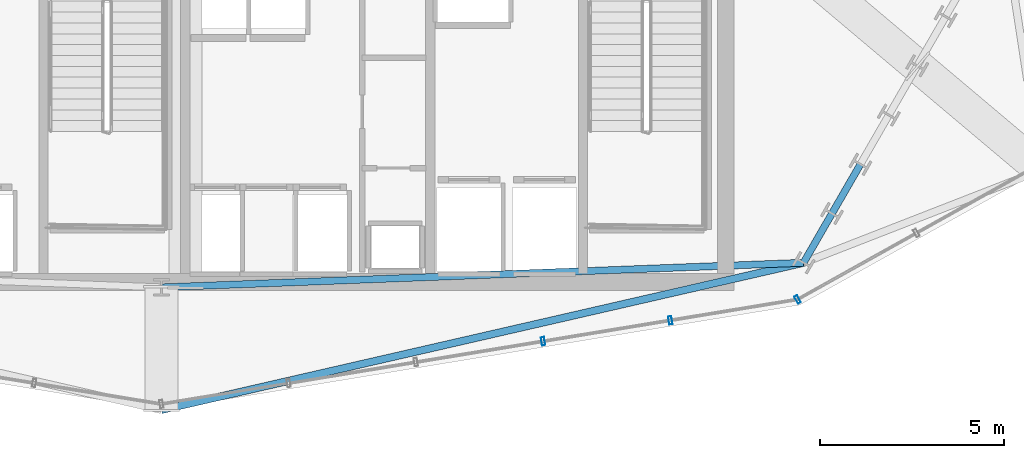
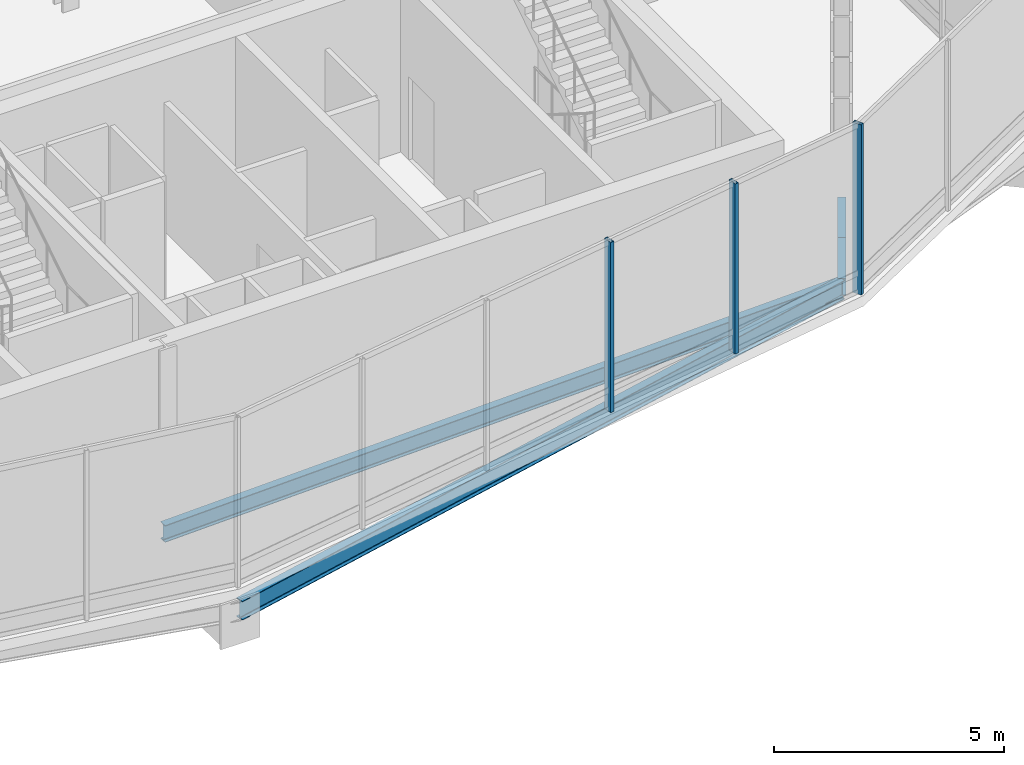
# One storey, part 9 of 26: 4 beams, 3 members, 2 elements without a shape of their own.
"""IFC4 building model written with IfcOpenShell, lengths in metres."""

from ifc_helpers import new_model, si_unit, direction, frame, origin, origin_2d, place, context, subcontext, project, spatial, hollow_rectangle, i_section, extrude, material, layer, layer_set, material_profile, profile_set, type_object, element, aggregate, save


model = new_model("IFC4")

# Units and contexts
model_context = context("Model", 3, precision=1e-05, world=origin(), true_north=direction((0.0, 1.0)))
body_context = subcontext(model_context, "Body", "Model", "MODEL_VIEW")
ifc_project = project(units=[si_unit("LENGTHUNIT", "METRE"), si_unit("AREAUNIT", "SQUARE_METRE"), si_unit("VOLUMEUNIT", "CUBIC_METRE"), si_unit("PLANEANGLEUNIT", "RADIAN"), si_unit("MASSUNIT", "GRAM", prefix="KILO")], contexts=[model_context])

# Site, building, storey
site_placement = place(None, origin())
site = spatial("IfcSite", under=ifc_project, at=site_placement, CompositionType="ELEMENT")
building_placement = place(site_placement, origin())
building = spatial("IfcBuilding", under=site, at=building_placement, Name="Ndaravel Arena Tower", CompositionType="ELEMENT")
storey_placement = place(building_placement, frame((0.0, 0.0, 117.39990234375)))
storey = spatial("IfcBuildingStorey", under=building, at=storey_placement, Name="L27", CompositionType="ELEMENT", Elevation=117.39990234375)

# Beams
ifc_material_1 = material(Name="Steel S355", Category="steel")
ifc_material_profile_1 = material_profile(ifc_material_1, i_section(OverallWidth=0.18994140625, OverallDepth=0.449951171875, WebThickness=0.009521484375, FlangeThickness=0.0146484375, FilletRadius=0.02099609375, at=origin_2d()), Name="IPE 450")
ifc_profile_set_1 = profile_set([ifc_material_profile_1], Name="Steel S355")
beam_type_1 = type_object("IfcBeamType", Name="BM-SPAN-IPE450", PredefinedType="SPANDREL", material=ifc_profile_set_1)
beam_1_placement = place(storey_placement, frame((42.0, 5.47998046875, -0.5048828125), z_axis=(0.999266435486, 0.038296095242, 0.0), x_axis=(-0.038296095242, 0.999266435486, 0.0)))
element("IfcBeam", 1, at=beam_1_placement, inside=storey, type_object=beam_type_1, Name="L27 Perimeter Spandrel Beam SP-01", PredefinedType="SPANDREL", context=body_context, shape_type="SweptSolid", body=[
    extrude(i_section(OverallWidth=0.18994140625, OverallDepth=0.449951171875, WebThickness=0.009521484375, FlangeThickness=0.0146484375, FilletRadius=0.02099609375, at=origin_2d()), origin(), (0.0, 0.0, 1.0), 17.448486328125),
])
beam_2_placement = place(storey_placement, frame((59.435791015625, 6.148193359375, -0.5048828125), z_axis=(0.5000008632, 0.866024905415, 0.0), x_axis=(-0.866024905415, 0.5000008632, 0.0)))
element("IfcBeam", 2, at=beam_2_placement, inside=storey, type_object=beam_type_1, Name="L27 Perimeter Spandrel Beam SP-02", PredefinedType="SPANDREL", context=body_context, shape_type="SweptSolid", body=[
    extrude(i_section(OverallWidth=0.18994140625, OverallDepth=0.449951171875, WebThickness=0.009521484375, FlangeThickness=0.0146484375, FilletRadius=0.02099609375, at=origin_2d()), origin(), (0.0, 0.0, 1.0), 1.54345703125),
])
beam_3_placement = place(storey_placement, frame((60.20751953125, 7.48486328125, -0.5048828125), z_axis=(0.500069364209, 0.865985352636, 0.0), x_axis=(-0.865985352636, 0.500069364209, 0.0)))
element("IfcBeam", 3, at=beam_3_placement, inside=storey, type_object=beam_type_1, Name="L27 Perimeter Spandrel Beam SP-03", PredefinedType="SPANDREL", context=body_context, shape_type="SweptSolid", body=[
    extrude(i_section(OverallWidth=0.18994140625, OverallDepth=0.449951171875, WebThickness=0.009521484375, FlangeThickness=0.0146484375, FilletRadius=0.02099609375, at=origin_2d()), origin(), (0.0, 0.0, 1.0), 1.543212890625),
])
ifc_material_2 = material(Name="Steel S355", Category="steel")
ifc_material_profile_2 = material_profile(ifc_material_2, i_section(OverallWidth=0.199951171875, OverallDepth=0.5, WebThickness=0.01025390625, FlangeThickness=0.01611328125, FilletRadius=0.02099609375, at=origin_2d()), Name="IPE 500")
ifc_profile_set_2 = profile_set([ifc_material_profile_2], Name="Steel S355")
beam_type_2 = type_object("IfcBeamType", Name="BM-SPAN-IPE500", PredefinedType="SPANDREL", material=ifc_profile_set_2)
beam_4_placement = place(storey_placement, frame((42.0, 2.14990234375, -0.52978515625), z_axis=(0.974700797375, 0.223513658633, 0.0), x_axis=(-0.223513658633, 0.974700797375, 0.0)))
element("IfcBeam", 4, at=beam_4_placement, inside=storey, type_object=beam_type_2, Name="L27 Star Facet Edge Beam SEB-2", PredefinedType="SPANDREL", context=body_context, shape_type="SweptSolid", body=[
    extrude(i_section(OverallWidth=0.199951171875, OverallDepth=0.5, WebThickness=0.01025390625, FlangeThickness=0.01611328125, FilletRadius=0.02099609375, at=origin_2d()), origin(), (0.0, 0.0, 1.0), 17.888427734375),
])

# Curtain wall, members
ifc_material_3 = material(Name="Aluminium", Category="aluminium")
ifc_layer = layer(ifc_material_3, 0.179931640625)
ifc_layer_set = layer_set([ifc_layer], Name="Aluminium")
curtain_wall_type = type_object("IfcCurtainWallType", Name="CW-SYS-04", PredefinedType="NOTDEFINED", material=ifc_layer_set)
curtain_wall_1_placement = place(storey_placement, origin())
curtain_wall_1 = element("IfcCurtainWall", 5, at=curtain_wall_1_placement, inside=storey, type_object=curtain_wall_type, Name="L27 Faceted Crystal Curtain Wall CW-L27-E03", PredefinedType="NOTDEFINED")
ifc_material_4 = material(Name="Aluminium", Category="aluminium")
ifc_material_profile_3 = material_profile(ifc_material_4, hollow_rectangle(XDim=0.090087890625, YDim=0.219970703125, WallThickness=0.0048828125, at=origin_2d()), Name="CW MULLION 90x220x5")
ifc_profile_set_3 = profile_set([ifc_material_profile_3], Name="Aluminium")
member_type = type_object("IfcMemberType", Name="MEM-CW-MUL220", PredefinedType="MULLION", material=ifc_profile_set_3)
member_1_placement = place(storey_placement, frame((52.364013671875, 4.016845703125, 0.0), z_axis=(0.0, 0.0, 1.0), x_axis=(0.986739822482, 0.162309958809, 0.0)))
member_1 = element("IfcMember", 6, at=member_1_placement, type_object=member_type, Name="CW-L27-E03 Mullion 03", PredefinedType="MULLION", context=body_context, shape_type="SweptSolid", body=[
    extrude(hollow_rectangle(XDim=0.090087890625, YDim=0.219970703125, WallThickness=0.0048828125, at=origin_2d()), origin(), (0.0, 0.0, 1.0), 4.52001953125),
])
member_2_placement = place(storey_placement, frame((55.81884765625, 4.585205078125, 0.0), z_axis=(0.0, 0.0, 1.0), x_axis=(0.986739822482, 0.162309958809, 0.0)))
member_2 = element("IfcMember", 7, at=member_2_placement, type_object=member_type, Name="CW-L27-E03 Mullion 04", PredefinedType="MULLION", context=body_context, shape_type="SweptSolid", body=[
    extrude(hollow_rectangle(XDim=0.090087890625, YDim=0.219970703125, WallThickness=0.0048828125, at=origin_2d()), origin(), (0.0, 0.0, 1.0), 4.52001953125),
])
aggregate(curtain_wall_1, [member_1, member_2])

# Curtain wall, member
curtain_wall_2_placement = place(storey_placement, origin())
curtain_wall_2 = element("IfcCurtainWall", 8, at=curtain_wall_2_placement, inside=storey, type_object=curtain_wall_type, Name="L27 Faceted Crystal Curtain Wall CW-L27-E04", PredefinedType="NOTDEFINED")
member_3_placement = place(storey_placement, frame((59.2734375, 5.1533203125, 0.0), z_axis=(0.0, 0.0, 1.0), x_axis=(0.87317740032, 0.487402531354, 0.0)))
member_3 = element("IfcMember", 9, at=member_3_placement, type_object=member_type, Name="CW-L27-E04 Mullion 00", PredefinedType="MULLION", context=body_context, shape_type="SweptSolid", body=[
    extrude(hollow_rectangle(XDim=0.090087890625, YDim=0.219970703125, WallThickness=0.0048828125, at=origin_2d()), origin(), (0.0, 0.0, 1.0), 4.52001953125),
])
aggregate(curtain_wall_2, [member_3])

save(model, "model.ifc")
